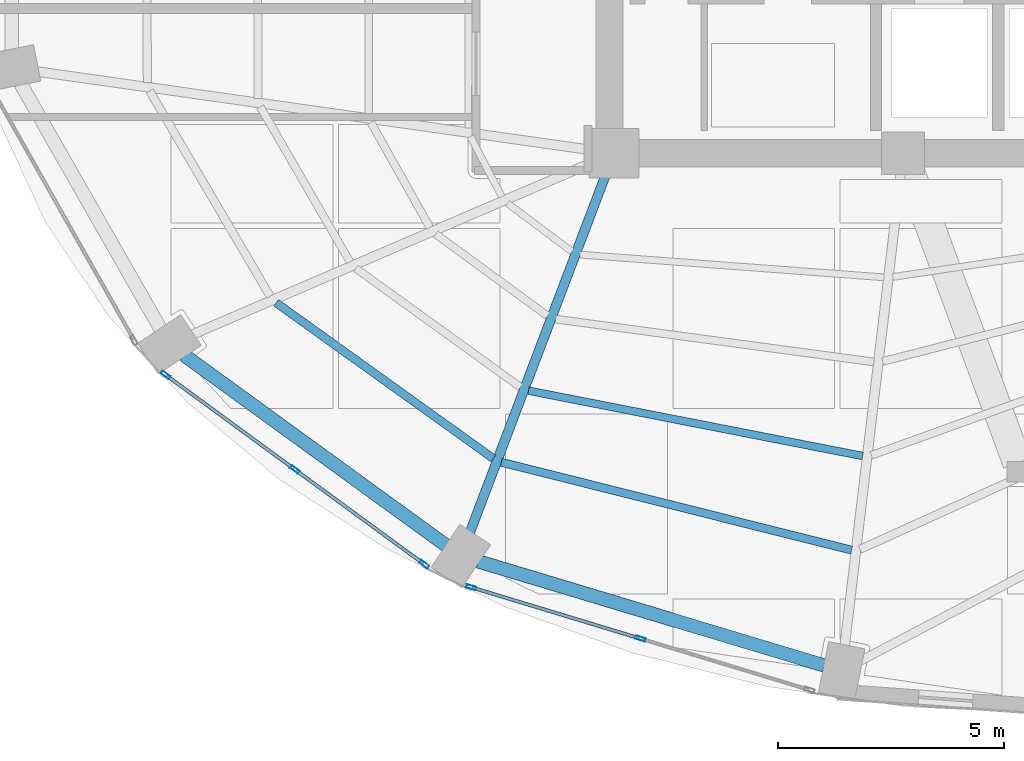
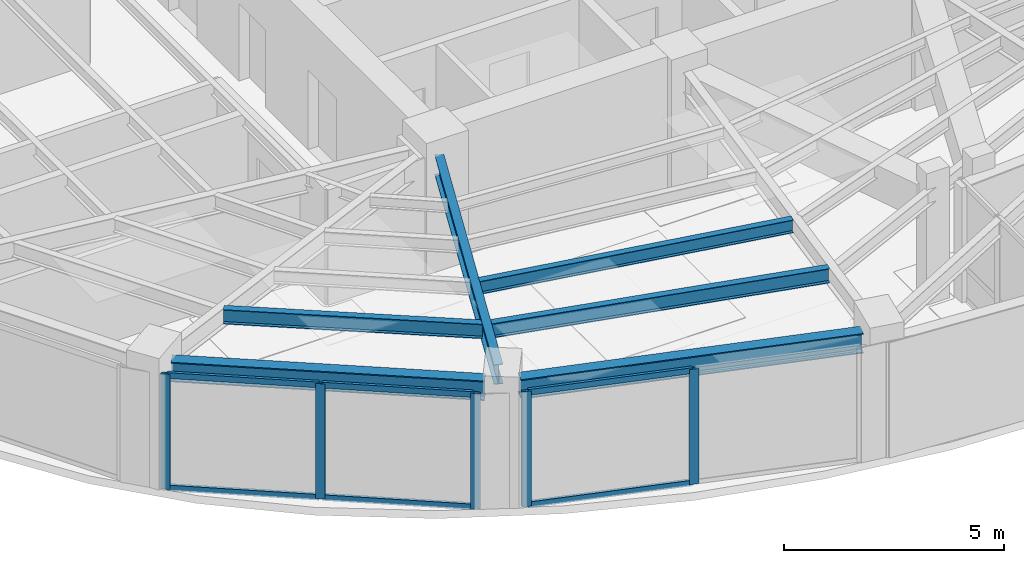
# One storey, part 2 of 20: 11 members, 6 beams, 2 elements without a shape of their own.
"""IFC4 building model written with IfcOpenShell, lengths in metres."""

from ifc_helpers import new_model, si_unit, direction, frame, origin, origin_2d, place, context, subcontext, project, spatial, hollow_rectangle, i_section, extrude, material, layer, layer_set, material_profile, profile_set, type_object, element, aggregate, save


model = new_model("IFC4")

# Units and contexts
model_context = context("Model", 3, precision=1e-05, world=origin(), true_north=direction((0.0, 1.0)))
body_context = subcontext(model_context, "Body", "Model", "MODEL_VIEW")
ifc_project = project(units=[si_unit("LENGTHUNIT", "METRE"), si_unit("AREAUNIT", "SQUARE_METRE"), si_unit("VOLUMEUNIT", "CUBIC_METRE"), si_unit("PLANEANGLEUNIT", "RADIAN"), si_unit("MASSUNIT", "GRAM", prefix="KILO")], contexts=[model_context])

# Site, building, storey
site_placement = place(None, origin())
site = spatial("IfcSite", under=ifc_project, at=site_placement, CompositionType="ELEMENT")
building_placement = place(site_placement, origin())
building = spatial("IfcBuilding", under=site, at=building_placement, Name="Lazwardi Medical Tower", CompositionType="ELEMENT")
storey_placement = place(building_placement, frame((0.0, 0.0, 185.7119140625)))
storey = spatial("IfcBuildingStorey", under=building, at=storey_placement, Name="L48", CompositionType="ELEMENT", Elevation=185.7119140625)

# Beams
ifc_material_1 = material(Name="Steel S355", Category="steel")
ifc_material_profile_1 = material_profile(ifc_material_1, i_section(OverallWidth=0.300048828125, OverallDepth=0.550048828125, WebThickness=0.014892578125, FlangeThickness=0.029052734375, at=origin_2d()), Name="HEB 550")
ifc_profile_set_1 = profile_set([ifc_material_profile_1], Name="Steel S355")
beam_type_1 = type_object("IfcBeamType", Name="BM-RB-Z3", PredefinedType="BEAM", material=ifc_profile_set_1)
beam_1_placement = place(storey_placement, frame((16.88818359375, 15.93408203125, 2.923095703125), z_axis=(0.809127570774, -0.587633026824, 0.0), x_axis=(0.587633026824, 0.809127570774, 0.0)))
element("IfcBeam", 1, at=beam_1_placement, inside=storey, type_object=beam_type_1, Name="Ring beam RB-04 B14 L48", PredefinedType="BEAM", context=body_context, shape_type="SweptSolid", body=[
    extrude(i_section(OverallWidth=0.300048828125, OverallDepth=0.550048828125, WebThickness=0.014892578125, FlangeThickness=0.029052734375, at=origin_2d()), origin(), (0.0, 0.0, 1.0), 7.170166015625),
])
beam_2_placement = place(storey_placement, frame((23.396484375, 11.37060546875, 2.923095703125), z_axis=(0.957616873483, -0.288045002771, 0.0), x_axis=(0.288045002771, 0.957616873483, 0.0)))
element("IfcBeam", 2, at=beam_2_placement, inside=storey, type_object=beam_type_1, Name="Ring beam RB-04 B15 L48", PredefinedType="BEAM", context=body_context, shape_type="SweptSolid", body=[
    extrude(i_section(OverallWidth=0.300048828125, OverallDepth=0.550048828125, WebThickness=0.014892578125, FlangeThickness=0.029052734375, at=origin_2d()), origin(), (0.0, 0.0, 1.0), 7.99951171875),
])
ifc_material_profile_2 = material_profile(ifc_material_1, i_section(OverallWidth=0.2099609375, OverallDepth=0.550048828125, WebThickness=0.010986328125, FlangeThickness=0.01708984375, at=origin_2d()), Name="IPE 550")
ifc_profile_set_2 = profile_set([ifc_material_profile_2], Name="Steel S355")
beam_type_2 = type_object("IfcBeamType", Name="BM-RG-W2", PredefinedType="BEAM", material=ifc_profile_set_2)
beam_3_placement = place(storey_placement, frame((23.21240234375, 12.00927734375, 2.923095703125), z_axis=(0.355126771712, 0.934818151307, 0.0), x_axis=(-0.934818151307, 0.355126771712, 0.0)))
element("IfcBeam", 3, at=beam_3_placement, inside=storey, type_object=beam_type_2, Name="Radial girder RG-03 R15 L48", PredefinedType="BEAM", context=body_context, shape_type="SweptSolid", body=[
    extrude(i_section(OverallWidth=0.2099609375, OverallDepth=0.550048828125, WebThickness=0.010986328125, FlangeThickness=0.01708984375, at=origin_2d()), origin(), (0.0, 0.0, 1.0), 8.44091796875),
])
ifc_material_profile_3 = material_profile(ifc_material_1, i_section(OverallWidth=0.179931640625, OverallDepth=0.39990234375, WebThickness=0.008544921875, FlangeThickness=0.013427734375, at=origin_2d()), Name="IPE 400")
ifc_profile_set_3 = profile_set([ifc_material_profile_3], Name="Steel S355")
beam_type_3 = type_object("IfcBeamType", Name="BM-SJ-01", PredefinedType="JOIST", material=ifc_profile_set_3)
beam_4_placement = place(storey_placement, frame((18.926025390625, 17.091796875, 2.998046875), z_axis=(0.812602017757, -0.582818977675, 0.0), x_axis=(0.582818977675, 0.812602017757, 0.0)))
element("IfcBeam", 4, at=beam_4_placement, inside=storey, type_object=beam_type_3, Name="Secondary joist SJ-01 R1 B14 L48", PredefinedType="JOIST", context=body_context, shape_type="SweptSolid", body=[
    extrude(i_section(OverallWidth=0.179931640625, OverallDepth=0.39990234375, WebThickness=0.008544921875, FlangeThickness=0.013427734375, at=origin_2d()), origin(), (0.0, 0.0, 1.0), 5.91259765625),
])
beam_5_placement = place(storey_placement, frame((23.908935546875, 13.56298828125, 2.998046875), z_axis=(0.969933596942, -0.243369713652, 0.0), x_axis=(0.243369713652, 0.969933596942, 0.0)))
element("IfcBeam", 5, at=beam_5_placement, inside=storey, type_object=beam_type_3, Name="Secondary joist SJ-01 R1 B15 L48", PredefinedType="JOIST", context=body_context, shape_type="SweptSolid", body=[
    extrude(i_section(OverallWidth=0.179931640625, OverallDepth=0.39990234375, WebThickness=0.008544921875, FlangeThickness=0.013427734375, at=origin_2d()), origin(), (0.0, 0.0, 1.0), 7.98828125),
])
ifc_material_profile_4 = material_profile(ifc_material_1, i_section(OverallWidth=0.169921875, OverallDepth=0.360107421875, WebThickness=0.008056640625, FlangeThickness=0.0126953125, at=origin_2d()), Name="IPE 360")
ifc_profile_set_4 = profile_set([ifc_material_profile_4], Name="Steel S355")
beam_type_4 = type_object("IfcBeamType", Name="BM-SJ-02", PredefinedType="JOIST", material=ifc_profile_set_4)
beam_6_placement = place(storey_placement, frame((24.509521484375, 15.146484375, 3.01806640625), z_axis=(0.98141534692, -0.191895588353, 0.0), x_axis=(0.191895588353, 0.98141534692, 0.0)))
element("IfcBeam", 6, at=beam_6_placement, inside=storey, type_object=beam_type_4, Name="Secondary joist SJ-02 R2 B15 L48", PredefinedType="JOIST", context=body_context, shape_type="SweptSolid", body=[
    extrude(i_section(OverallWidth=0.169921875, OverallDepth=0.360107421875, WebThickness=0.008056640625, FlangeThickness=0.0126953125, at=origin_2d()), origin(), (0.0, 0.0, 1.0), 7.534423828125),
])

# Curtain wall, members
ifc_material_2 = material(Name="Anodised bronze aluminium and solar control glazing", Category="aluminium")
ifc_layer = layer(ifc_material_2, 0.195068359375)
ifc_layer_set = layer_set([ifc_layer], Name="Anodised bronze aluminium and solar control glazing")
curtain_wall_type = type_object("IfcCurtainWallType", Name="CW-SYS-03", PredefinedType="NOTDEFINED", material=ifc_layer_set)
curtain_wall_1_placement = place(storey_placement, origin())
curtain_wall_1 = element("IfcCurtainWall", 7, at=curtain_wall_1_placement, inside=storey, type_object=curtain_wall_type, Name="L48 Unitised bronze curtain wall CW-03", PredefinedType="NOTDEFINED")
ifc_material_3 = material(Name="Anodised bronze aluminium", Category="aluminium")
ifc_material_profile_5 = material_profile(ifc_material_3, hollow_rectangle(XDim=0.074951171875, YDim=0.219970703125, WallThickness=0.00390625, at=origin_2d()), Name="ALU-MULLION 220x75x4")
ifc_profile_set_5 = profile_set([ifc_material_profile_5], Name="Anodised bronze aluminium")
member_type_1 = type_object("IfcMemberType", Name="CW-MUL-01", PredefinedType="MULLION", material=ifc_profile_set_5)
member_1_placement = place(storey_placement, frame((16.480224609375, 15.4970703125, 0.0), z_axis=(0.0, 0.0, 1.0), x_axis=(0.590833862635, 0.806793249082, 0.0)))
member_1 = element("IfcMember", 8, at=member_1_placement, type_object=member_type_1, Name="CW-03 mullion 1", PredefinedType="MULLION", context=body_context, shape_type="SweptSolid", body=[
    extrude(hollow_rectangle(XDim=0.074951171875, YDim=0.219970703125, WallThickness=0.00390625, at=origin_2d()), origin(), (0.0, 0.0, 1.0), 3.197998046875),
])
member_2_placement = place(storey_placement, frame((19.34228515625, 13.401123046875, 0.0), z_axis=(0.0, 0.0, 1.0), x_axis=(0.590833862635, 0.806793249082, 0.0)))
member_2 = element("IfcMember", 9, at=member_2_placement, type_object=member_type_1, Name="CW-03 mullion 2", PredefinedType="MULLION", context=body_context, shape_type="SweptSolid", body=[
    extrude(hollow_rectangle(XDim=0.074951171875, YDim=0.219970703125, WallThickness=0.00390625, at=origin_2d()), origin(), (0.0, 0.0, 1.0), 3.197998046875),
])
member_3_placement = place(storey_placement, frame((22.204345703125, 11.30517578125, 0.0), z_axis=(0.0, 0.0, 1.0), x_axis=(0.590833862635, 0.806793249082, 0.0)))
member_3 = element("IfcMember", 10, at=member_3_placement, type_object=member_type_1, Name="CW-03 mullion 3", PredefinedType="MULLION", context=body_context, shape_type="SweptSolid", body=[
    extrude(hollow_rectangle(XDim=0.074951171875, YDim=0.219970703125, WallThickness=0.00390625, at=origin_2d()), origin(), (0.0, 0.0, 1.0), 3.197998046875),
])

curtain_wall_2_placement = place(storey_placement, origin())
curtain_wall_2 = element("IfcCurtainWall", 11, at=curtain_wall_2_placement, inside=storey, type_object=curtain_wall_type, Name="L48 Unitised bronze curtain wall CW-03", PredefinedType="NOTDEFINED")
member_4_placement = place(storey_placement, frame((23.241943359375, 10.796630859375, 0.0), z_axis=(0.0, 0.0, 1.0), x_axis=(0.290280785441, 0.956941516292, 0.0)))
member_4 = element("IfcMember", 12, at=member_4_placement, type_object=member_type_1, Name="CW-03 mullion 1", PredefinedType="MULLION", context=body_context, shape_type="SweptSolid", body=[
    extrude(hollow_rectangle(XDim=0.074951171875, YDim=0.219970703125, WallThickness=0.00390625, at=origin_2d()), origin(), (0.0, 0.0, 1.0), 3.197998046875),
])
member_5_placement = place(storey_placement, frame((26.98486328125, 9.661376953125, 0.0), z_axis=(0.0, 0.0, 1.0), x_axis=(0.290280785441, 0.956941516292, 0.0)))
member_5 = element("IfcMember", 13, at=member_5_placement, type_object=member_type_1, Name="CW-03 mullion 2", PredefinedType="MULLION", context=body_context, shape_type="SweptSolid", body=[
    extrude(hollow_rectangle(XDim=0.074951171875, YDim=0.219970703125, WallThickness=0.00390625, at=origin_2d()), origin(), (0.0, 0.0, 1.0), 3.197998046875),
])

# Member
ifc_material_profile_6 = material_profile(ifc_material_3, hollow_rectangle(XDim=0.074951171875, YDim=0.159912109375, WallThickness=0.00390625, at=origin_2d()), Name="ALU-TRANSOM 160x75x4")
ifc_profile_set_6 = profile_set([ifc_material_profile_6], Name="Anodised bronze aluminium")
member_type_2 = type_object("IfcMemberType", Name="CW-TRN-01", PredefinedType="USERDEFINED", material=ifc_profile_set_6)
member_6_placement = place(storey_placement, frame((16.510498046875, 15.474853515625, 0.03759765625), z_axis=(0.806807161185, -0.590814864962, 0.0), x_axis=(0.590814864962, 0.806807161185, 0.0)))
member_6 = element("IfcMember", 14, at=member_6_placement, type_object=member_type_2, Name="CW-03 transom 1.1", ObjectType="TRANSOM", PredefinedType="USERDEFINED", context=body_context, shape_type="SweptSolid", body=[
    extrude(hollow_rectangle(XDim=0.074951171875, YDim=0.159912109375, WallThickness=0.00390625, at=origin_2d()), origin(), (0.0, 0.0, 1.0), 3.472412109375),
])

member_7_placement = place(storey_placement, frame((16.510498046875, 15.474853515625, 3.16064453125), z_axis=(0.806807161185, -0.590814864962, 0.0), x_axis=(0.590814864962, 0.806807161185, 0.0)))
member_7 = element("IfcMember", 15, at=member_7_placement, type_object=member_type_2, Name="CW-03 transom 1.2", ObjectType="TRANSOM", PredefinedType="USERDEFINED", context=body_context, shape_type="SweptSolid", body=[
    extrude(hollow_rectangle(XDim=0.074951171875, YDim=0.159912109375, WallThickness=0.00390625, at=origin_2d()), origin(), (0.0, 0.0, 1.0), 3.472412109375),
])

member_8_placement = place(storey_placement, frame((19.37255859375, 13.37890625, 0.03759765625), z_axis=(0.806807161185, -0.590814864962, 0.0), x_axis=(0.590814864962, 0.806807161185, 0.0)))
member_8 = element("IfcMember", 16, at=member_8_placement, type_object=member_type_2, Name="CW-03 transom 2.1", ObjectType="TRANSOM", PredefinedType="USERDEFINED", context=body_context, shape_type="SweptSolid", body=[
    extrude(hollow_rectangle(XDim=0.074951171875, YDim=0.159912109375, WallThickness=0.00390625, at=origin_2d()), origin(), (0.0, 0.0, 1.0), 3.472412109375),
])

member_9_placement = place(storey_placement, frame((19.37255859375, 13.37890625, 3.16064453125), z_axis=(0.806807161185, -0.590814864962, 0.0), x_axis=(0.590814864962, 0.806807161185, 0.0)))
member_9 = element("IfcMember", 17, at=member_9_placement, type_object=member_type_2, Name="CW-03 transom 2.2", ObjectType="TRANSOM", PredefinedType="USERDEFINED", context=body_context, shape_type="SweptSolid", body=[
    extrude(hollow_rectangle(XDim=0.074951171875, YDim=0.159912109375, WallThickness=0.00390625, at=origin_2d()), origin(), (0.0, 0.0, 1.0), 3.472412109375),
])

aggregate(curtain_wall_1, [member_1, member_2, member_3, member_6, member_7, member_8, member_9])

member_10_placement = place(storey_placement, frame((23.27783203125, 10.785888671875, 0.03759765625), z_axis=(0.956930154175, -0.290318239233, 0.0), x_axis=(0.290318239233, 0.956930154175, 0.0)))
member_10 = element("IfcMember", 18, at=member_10_placement, type_object=member_type_2, Name="CW-03 transom 1.1", ObjectType="TRANSOM", PredefinedType="USERDEFINED", context=body_context, shape_type="SweptSolid", body=[
    extrude(hollow_rectangle(XDim=0.074951171875, YDim=0.159912109375, WallThickness=0.00390625, at=origin_2d()), origin(), (0.0, 0.0, 1.0), 3.83642578125),
])

member_11_placement = place(storey_placement, frame((23.27783203125, 10.785888671875, 3.16064453125), z_axis=(0.956930154175, -0.290318239233, 0.0), x_axis=(0.290318239233, 0.956930154175, 0.0)))
member_11 = element("IfcMember", 19, at=member_11_placement, type_object=member_type_2, Name="CW-03 transom 1.2", ObjectType="TRANSOM", PredefinedType="USERDEFINED", context=body_context, shape_type="SweptSolid", body=[
    extrude(hollow_rectangle(XDim=0.074951171875, YDim=0.159912109375, WallThickness=0.00390625, at=origin_2d()), origin(), (0.0, 0.0, 1.0), 3.83642578125),
])

aggregate(curtain_wall_2, [member_4, member_5, member_10, member_11])

save(model, "model.ifc")
